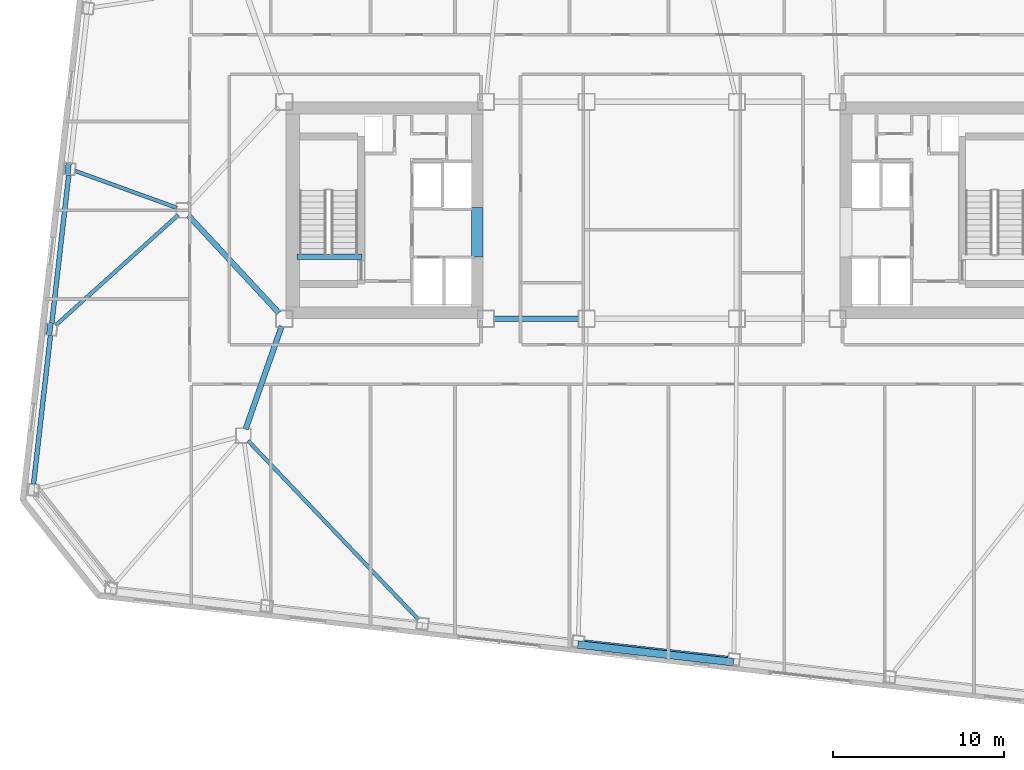
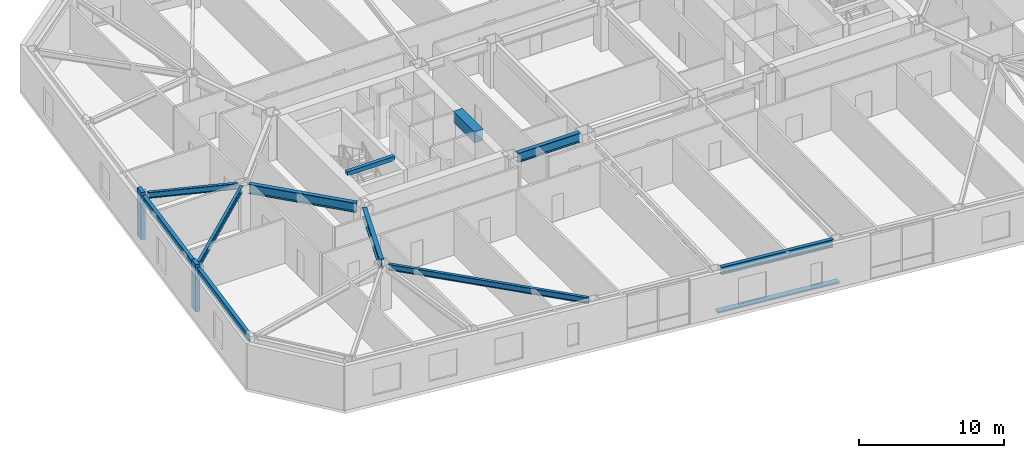
# One storey, part 3 of 21: 11 beams, 3 members.
"""IFC4 building model written with IfcOpenShell, lengths in metres."""

from ifc_helpers import new_model, si_unit, direction, frame, origin, origin_2d, place, context, subcontext, project, spatial, rectangle, i_section, extrude, material, material_profile, profile_set, type_object, element, save


model = new_model("IFC4")

# Units and contexts
model_context = context("Model", 3, precision=1e-05, world=origin(), true_north=direction((0.0, 1.0)))
body_context = subcontext(model_context, "Body", "Model", "MODEL_VIEW")
ifc_project = project(units=[si_unit("LENGTHUNIT", "METRE"), si_unit("AREAUNIT", "SQUARE_METRE"), si_unit("VOLUMEUNIT", "CUBIC_METRE"), si_unit("PLANEANGLEUNIT", "RADIAN"), si_unit("MASSUNIT", "GRAM", prefix="KILO")], contexts=[model_context])

# Site, building, storey
site_placement = place(None, origin())
site = spatial("IfcSite", under=ifc_project, at=site_placement, CompositionType="ELEMENT")
building_placement = place(site_placement, origin())
building = spatial("IfcBuilding", under=site, at=building_placement, Name="Tavrogorsk Clinical Tower", CompositionType="ELEMENT")
storey_placement = place(building_placement, frame((0.0, 0.0, 133.39990234375)))
storey = spatial("IfcBuildingStorey", under=building, at=storey_placement, Name="L30", CompositionType="ELEMENT", Elevation=133.39990234375)

# Member
ifc_material_1 = material(Name="Anodised aluminium alloy AW-6063", Category="aluminium")
ifc_material_profile_1 = material_profile(ifc_material_1, rectangle(XDim=0.449951171875, YDim=0.1201171875, at=origin_2d()), Name="ALU-SUNSHADE-450x120")
ifc_profile_set_1 = profile_set([ifc_material_profile_1], Name="Anodised aluminium alloy AW-6063")
member_type_1 = type_object("IfcMemberType", Name="ChicagoSunshade_450x120", PredefinedType="USERDEFINED", material=ifc_profile_set_1)
member_placement = place(storey_placement, frame((-4.909912109375, -25.42431640625, 0.18017578125), z_axis=(0.993572654864, -0.113196199166, 0.0), x_axis=(0.113196199166, 0.993572654864, 0.0)))
element("IfcMember", 1, at=member_placement, inside=storey, type_object=member_type_1, Name="L30 South Aluminium Sunshade S4", ObjectType="SUNSHADE", PredefinedType="USERDEFINED", context=body_context, shape_type="SweptSolid", body=[
    extrude(rectangle(XDim=0.449951171875, YDim=0.1201171875, at=origin_2d()), origin(), (0.0, 0.0, 1.0), 9.17724609375),
])

# Beams
ifc_material_2 = material(Name="Concrete B80", Category="concrete")
ifc_material_profile_2 = material_profile(ifc_material_2, rectangle(XDim=0.699951171875, YDim=0.949951171875, at=origin_2d()), Name="RC-CB-700x950")
ifc_profile_set_2 = profile_set([ifc_material_profile_2], Name="Concrete B80")
beam_type_1 = type_object("IfcBeamType", Name="CouplingBeam_RC700x950", PredefinedType="LINTEL", material=ifc_profile_set_2)
beam_1_placement = place(storey_placement, frame((-10.800048828125, -2.75, 3.26513671875), z_axis=(0.0, 1.0, 0.0), x_axis=(-1.0, 0.0, 0.0)))
element("IfcBeam", 2, at=beam_1_placement, inside=storey, type_object=beam_type_1, Name="L30 Core West Coupling Beam", PredefinedType="LINTEL", context=body_context, shape_type="SweptSolid", body=[
    extrude(rectangle(XDim=0.699951171875, YDim=0.949951171875, at=origin_2d()), origin(), (0.0, 0.0, 1.0), 2.89990234375),
])
ifc_material_3 = material(Name="Structural steel S355", Category="steel")
ifc_material_profile_3 = material_profile(ifc_material_3, i_section(OverallWidth=0.219970703125, OverallDepth=0.5, WebThickness=0.012939453125, FlangeThickness=0.02001953125, at=origin_2d()), Name="B-500x220x13x20")
ifc_profile_set_3 = profile_set([ifc_material_profile_3], Name="Structural steel S355")
beam_type_2 = type_object("IfcBeamType", Name="FloorBeam_B500", PredefinedType="BEAM", material=ifc_profile_set_3)
beam_2_placement = place(storey_placement, frame((-24.217041015625, -13.496826171875, 3.489990234375), z_axis=(0.689995410805, -0.723813741972, 0.0), x_axis=(0.723813741972, 0.689995410805, 0.0)))
element("IfcBeam", 3, at=beam_2_placement, inside=storey, type_object=beam_type_2, Name="L30 Radial Floor Beam S3", PredefinedType="BEAM", context=body_context, shape_type="SweptSolid", body=[
    extrude(i_section(OverallWidth=0.219970703125, OverallDepth=0.5, WebThickness=0.012939453125, FlangeThickness=0.02001953125, at=origin_2d()), origin(), (0.0, 0.0, 1.0), 14.4384765625),
])
beam_3_placement = place(storey_placement, frame((-28.385498046875, 0.139892578125, 3.489990234375), z_axis=(-0.939993443432, 0.341192506225, 0.0), x_axis=(-0.341192506225, -0.939993443432, 0.0)))
element("IfcBeam", 4, at=beam_3_placement, inside=storey, type_object=beam_type_2, Name="L30 Radial Floor Beam W3", PredefinedType="BEAM", context=body_context, shape_type="SweptSolid", body=[
    extrude(i_section(OverallWidth=0.219970703125, OverallDepth=0.5, WebThickness=0.012939453125, FlangeThickness=0.02001953125, at=origin_2d()), origin(), (0.0, 0.0, 1.0), 6.33837890625),
])
beam_4_placement = place(storey_placement, frame((-28.3046875, -0.274169921875, 3.489990234375), z_axis=(-0.743369550828, -0.668880939257, 0.0), x_axis=(0.668880939257, -0.743369550828, 0.0)))
element("IfcBeam", 5, at=beam_4_placement, inside=storey, type_object=beam_type_2, Name="L30 Radial Floor Beam W4", PredefinedType="BEAM", context=body_context, shape_type="SweptSolid", body=[
    extrude(i_section(OverallWidth=0.219970703125, OverallDepth=0.5, WebThickness=0.012939453125, FlangeThickness=0.02001953125, at=origin_2d()), origin(), (0.0, 0.0, 1.0), 9.658935546875),
])

# Members
ifc_material_4 = material(Name="Precast concrete B45 with limestone cladding", Category="masonry")
ifc_material_profile_4 = material_profile(ifc_material_4, rectangle(XDim=0.320068359375, YDim=0.719970703125, at=origin_2d()), Name="LIMESTONE-FIN-320x720")
ifc_profile_set_4 = profile_set([ifc_material_profile_4], Name="Precast concrete B45 with limestone cladding")
member_type_2 = type_object("IfcMemberType", Name="LimestonePleatFin_320x720", PredefinedType="USERDEFINED", material=ifc_profile_set_4)
for number, where, z_axis, x_axis, name in (
    (6, (-34.759521484375, 2.433837890625, 0.0), (0.0, 0.0, 1.0), (0.993571855677, -0.113203213768, 0.0), "L30 W Pleated Stone Fin 2"),
    (7, (-35.83056640625, -6.96533203125, 0.0), (0.0, 0.0, 1.0), (0.993571855677, -0.113203213768, 0.0), "L30 W Pleated Stone Fin 3"),
):
    element("IfcMember", number, at=place(storey_placement, frame(where, z_axis=z_axis, x_axis=x_axis)), inside=storey, type_object=member_type_2, Name=name, ObjectType="FIN", PredefinedType="USERDEFINED", context=body_context, shape_type="SweptSolid", body=[
        extrude(rectangle(XDim=0.320068359375, YDim=0.719970703125, at=origin_2d()), origin(), (0.0, 0.0, 1.0), 4.0),
    ])

# Beams
ifc_material_5 = material(Name="Structural steel S390", Category="steel")
ifc_material_profile_5 = material_profile(ifc_material_5, i_section(OverallWidth=0.320068359375, OverallDepth=0.800048828125, WebThickness=0.02001953125, FlangeThickness=0.033935546875, at=origin_2d()), Name="B-800x320x20x34")
ifc_profile_set_5 = profile_set([ifc_material_profile_5], Name="Structural steel S390")
beam_type_3 = type_object("IfcBeamType", Name="PrimaryGirder_B800", PredefinedType="USERDEFINED", material=ifc_profile_set_5)
beam_5_placement = place(storey_placement, frame((-9.840087890625, -6.35009765625, 3.340087890625), z_axis=(1.0, 0.0, 0.0), x_axis=(0.0, 1.0, 0.0)))
element("IfcBeam", 8, at=beam_5_placement, inside=storey, type_object=beam_type_3, Name="L30 Primary Spine Girder MG-01", ObjectType="GIRDER", PredefinedType="USERDEFINED", context=body_context, shape_type="SweptSolid", body=[
    extrude(i_section(OverallWidth=0.320068359375, OverallDepth=0.800048828125, WebThickness=0.02001953125, FlangeThickness=0.033935546875, at=origin_2d()), origin(), (0.0, 0.0, 1.0), 4.97998046875),
])
beam_6_placement = place(storey_placement, frame((-24.364501953125, -12.81298828125, 3.340087890625), z_axis=(0.330660234815, 0.943749865755, 0.0), x_axis=(-0.943749865755, 0.330660234815, 0.0)))
element("IfcBeam", 9, at=beam_6_placement, inside=storey, type_object=beam_type_3, Name="L30 Spine Link Girder OPG-1", ObjectType="GIRDER", PredefinedType="USERDEFINED", context=body_context, shape_type="SweptSolid", body=[
    extrude(i_section(OverallWidth=0.320068359375, OverallDepth=0.800048828125, WebThickness=0.02001953125, FlangeThickness=0.033935546875, at=origin_2d()), origin(), (0.0, 0.0, 1.0), 6.38818359375),
])
beam_7_placement = place(storey_placement, frame((-27.720947265625, -0.30029296875, 3.340087890625), z_axis=(0.680675630035, -0.732584934787, 0.0), x_axis=(0.732584934787, 0.680675630035, 0.0)))
element("IfcBeam", 10, at=beam_7_placement, inside=storey, type_object=beam_type_3, Name="L30 Spine Link Girder OPG-5", ObjectType="GIRDER", PredefinedType="USERDEFINED", context=body_context, shape_type="SweptSolid", body=[
    extrude(i_section(OverallWidth=0.320068359375, OverallDepth=0.800048828125, WebThickness=0.02001953125, FlangeThickness=0.033935546875, at=origin_2d()), origin(), (0.0, 0.0, 1.0), 7.7978515625),
])
ifc_material_6 = material(Name="Structural steel S390", Category="steel")
ifc_material_profile_6 = material_profile(ifc_material_6, i_section(OverallWidth=0.280029296875, OverallDepth=0.64990234375, WebThickness=0.01611328125, FlangeThickness=0.02490234375, at=origin_2d()), Name="B-650x280x16x25")
ifc_profile_set_6 = profile_set([ifc_material_profile_6], Name="Structural steel S390")
beam_type_4 = type_object("IfcBeamType", Name="SpandrelBeam_B650", PredefinedType="SPANDREL", material=ifc_profile_set_6)
beam_8_placement = place(storey_placement, frame((-4.533935546875, -25.2861328125, 3.4150390625), z_axis=(0.993572695356, -0.113195843756, 0.0), x_axis=(0.113195843756, 0.993572695356, 0.0)))
element("IfcBeam", 11, at=beam_8_placement, inside=storey, type_object=beam_type_4, Name="L30 Perimeter Spandrel S4-S5", PredefinedType="SPANDREL", context=body_context, shape_type="SweptSolid", body=[
    extrude(i_section(OverallWidth=0.280029296875, OverallDepth=0.64990234375, WebThickness=0.01611328125, FlangeThickness=0.02490234375, at=origin_2d()), origin(), (0.0, 0.0, 1.0), 8.461181640625),
])
for number, where, z_axis, x_axis, name in (
    (12, (-34.720703125, 2.069091796875, 3.4150390625), (-0.113192226434, -0.993573107464, 0.0), (0.993573107464, -0.113192226434, 0.0), "L30 Perimeter Spandrel W3-W4"),
    (13, (-35.79150390625, -7.330078125, 3.4150390625), (-0.113192226434, -0.993573107464, 0.0), (0.993573107464, -0.113192226434, 0.0), "L30 Perimeter Spandrel W4-W5"),
):
    element("IfcBeam", number, at=place(storey_placement, frame(where, z_axis=z_axis, x_axis=x_axis)), inside=storey, type_object=beam_type_4, Name=name, PredefinedType="SPANDREL", context=body_context, shape_type="SweptSolid", body=[
        extrude(i_section(OverallWidth=0.280029296875, OverallDepth=0.64990234375, WebThickness=0.01611328125, FlangeThickness=0.02490234375, at=origin_2d()), origin(), (0.0, 0.0, 1.0), 8.743896484375),
    ])
ifc_material_7 = material(Name="Concrete B60", Category="concrete")
ifc_material_profile_7 = material_profile(ifc_material_7, rectangle(XDim=0.300048828125, YDim=0.35009765625, at=origin_2d()), Name="RC-SHB-300x350")
ifc_profile_set_7 = profile_set([ifc_material_profile_7], Name="Concrete B60")
beam_type_5 = type_object("IfcBeamType", Name="StairHeaderBeam_RC300x350", PredefinedType="BEAM", material=ifc_profile_set_7)
beam_9_placement = place(storey_placement, frame((-21.35009765625, -2.719970703125, 3.8251953125), z_axis=(1.0, 0.0, 0.0), x_axis=(0.0, 1.0, 0.0)))
element("IfcBeam", 14, at=beam_9_placement, inside=storey, type_object=beam_type_5, Name="L31 ST-W Landing Header Beam", PredefinedType="BEAM", context=body_context, shape_type="SweptSolid", body=[
    extrude(rectangle(XDim=0.300048828125, YDim=0.35009765625, at=origin_2d()), origin(), (0.0, 0.0, 1.0), 3.800048828125),
])

save(model, "model.ifc")
